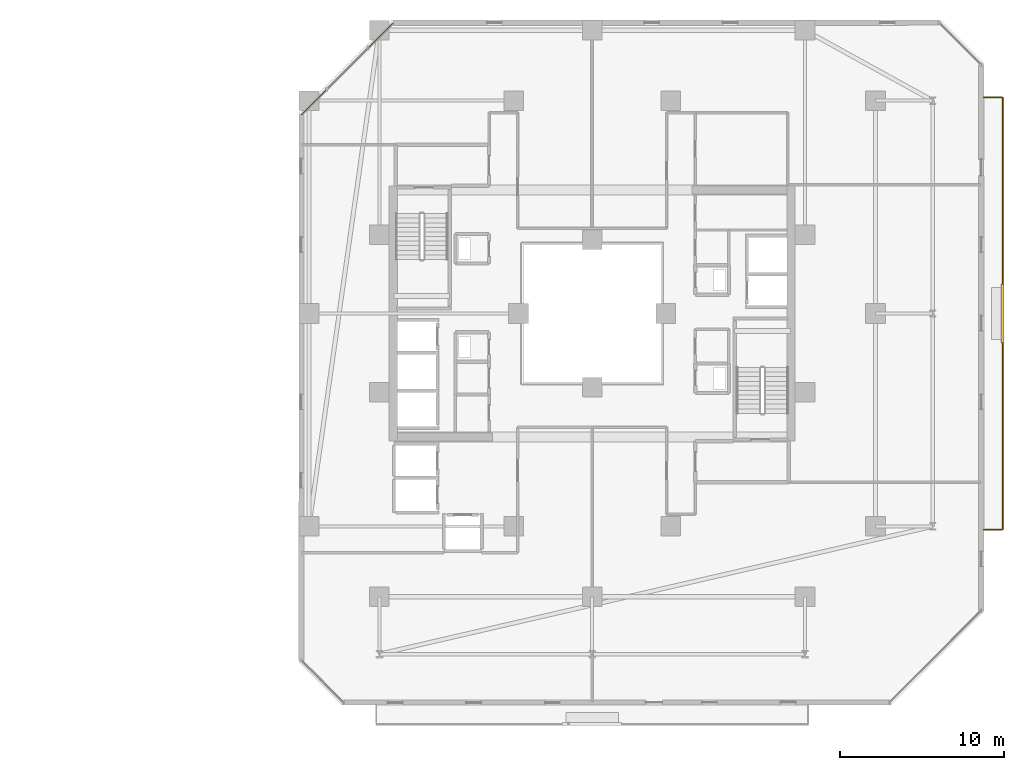
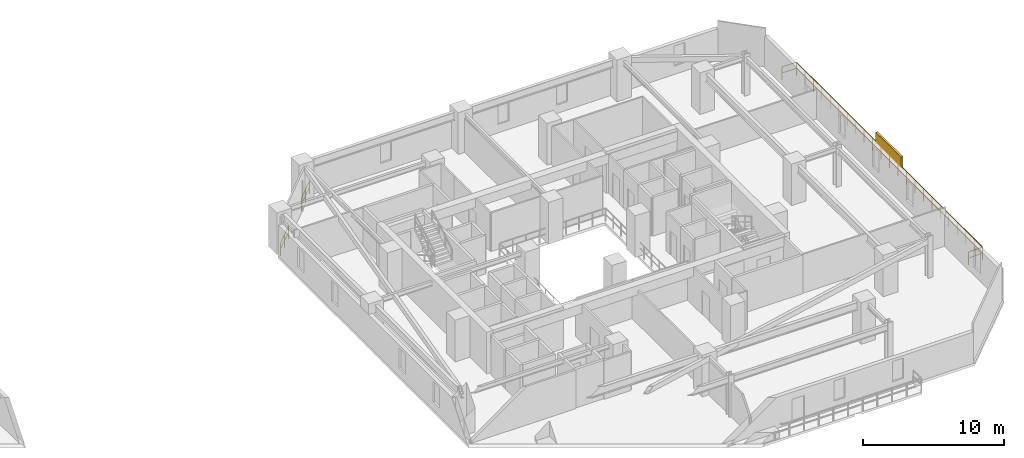
# One storey, part 31 of 31: 3 railings, 1 shading device.
"""IFC4 building model written with IfcOpenShell, lengths in metres."""

from ifc_helpers import new_model, si_unit, direction, frame, origin, origin_2d, place, context, subcontext, project, spatial, rectangle, extrude, material, type_object, element, save


model = new_model("IFC4")

# Units and contexts
model_context = context("Model", 3, precision=1e-05, world=origin(), true_north=direction((0.0, 1.0)))
body_context = subcontext(model_context, "Body", "Model", "MODEL_VIEW")
ifc_project = project(units=[si_unit("LENGTHUNIT", "METRE"), si_unit("AREAUNIT", "SQUARE_METRE"), si_unit("VOLUMEUNIT", "CUBIC_METRE"), si_unit("PLANEANGLEUNIT", "RADIAN"), si_unit("MASSUNIT", "GRAM", prefix="KILO")], contexts=[model_context])

# Site, building, storey
site_placement = place(None, origin())
site = spatial("IfcSite", under=ifc_project, at=site_placement, CompositionType="ELEMENT")
building_placement = place(site_placement, origin())
building = spatial("IfcBuilding", under=site, at=building_placement, Name="Thornwick Lancets Civic Towers", CompositionType="ELEMENT")
storey_placement = place(building_placement, frame((0.0, 0.0, 126.89990234375)))
storey = spatial("IfcBuildingStorey", under=building, at=storey_placement, Name="L33", CompositionType="ELEMENT", Elevation=126.89990234375)

# Railings
ifc_material_1 = material(Name="Terracotta-capped laminated glass balustrade S355", Category="masonry")
railing_type = type_object("IfcRailingType", Name="RAIL_TERR_GUARD", PredefinedType="GUARDRAIL", material=ifc_material_1)
railing_1_placement = place(storey_placement, frame((76.35205078125, 44.754638671875, 0.0)))
element("IfcRailing", 1, at=railing_1_placement, inside=storey, type_object=railing_type, Name="L33 Tower B Chamfer Spandrel Guard E5-1", PredefinedType="GUARDRAIL", context=body_context, shape_type="SweptSolid", body=[
    extrude(rectangle(XDim=0.048095703125, YDim=0.048095703125, at=origin_2d()), frame((0.0, 0.0, 1.1259765625), z_axis=(-0.707050628177, -0.707162929738, 0.0), x_axis=(0.707162929738, -0.707050628177, 0.0)), (0.0, 0.0, 1.0), 2.174072265625),
    extrude(rectangle(XDim=0.0419921875, YDim=0.0419921875, at=origin_2d()), frame((-0.026611328125, -0.026611328125, 0.597900390625), z_axis=(-0.707050628177, -0.707162929738, 0.0), x_axis=(0.707162929738, -0.707050628177, 0.0)), (0.0, 0.0, 1.0), 1.011962890625),
    extrude(rectangle(XDim=0.0419921875, YDim=0.0419921875, at=origin_2d()), frame((-0.795166015625, -0.795166015625, 0.597900390625), z_axis=(-0.707050628177, -0.707162929738, 0.0), x_axis=(0.707162929738, -0.707050628177, 0.0)), (0.0, 0.0, 1.0), 1.011962890625),
    extrude(rectangle(XDim=0.0419921875, YDim=0.0419921875, at=origin_2d()), origin(), (0.0, 0.0, 1.0), 1.095703125),
    extrude(rectangle(XDim=0.0419921875, YDim=0.0419921875, at=origin_2d()), frame((-0.7685546875, -0.7685546875, 0.0)), (0.0, 0.0, 1.0), 1.095703125),
    extrude(rectangle(XDim=0.0419921875, YDim=0.0419921875, at=origin_2d()), frame((-1.537109375, -1.537353515625, 0.0)), (0.0, 0.0, 1.0), 1.095703125),
])
railing_2_placement = place(storey_placement, frame((72.28271484375, 40.68505859375, 0.0)))
element("IfcRailing", 2, at=railing_2_placement, inside=storey, type_object=railing_type, Name="L33 Tower B Chamfer Spandrel Guard E5-2", PredefinedType="GUARDRAIL", context=body_context, shape_type="SweptSolid", body=[
    extrude(rectangle(XDim=0.048095703125, YDim=0.048095703125, at=origin_2d()), frame((0.0, 0.0, 1.1259765625), z_axis=(-0.707162929738, -0.707050628177, 0.0), x_axis=(0.707050628177, -0.707162929738, 0.0)), (0.0, 0.0, 1.0), 2.174072265625),
    extrude(rectangle(XDim=0.0419921875, YDim=0.0419921875, at=origin_2d()), frame((-0.026611328125, -0.026611328125, 0.597900390625), z_axis=(-0.707162929738, -0.707050628177, 0.0), x_axis=(0.707050628177, -0.707162929738, 0.0)), (0.0, 0.0, 1.0), 1.011962890625),
    extrude(rectangle(XDim=0.0419921875, YDim=0.0419921875, at=origin_2d()), frame((-0.795166015625, -0.795166015625, 0.597900390625), z_axis=(-0.707162929738, -0.707050628177, 0.0), x_axis=(0.707050628177, -0.707162929738, 0.0)), (0.0, 0.0, 1.0), 1.011962890625),
    extrude(rectangle(XDim=0.0419921875, YDim=0.0419921875, at=origin_2d()), origin(), (0.0, 0.0, 1.0), 1.095703125),
    extrude(rectangle(XDim=0.0419921875, YDim=0.0419921875, at=origin_2d()), frame((-0.7685546875, -0.7685546875, 0.0)), (0.0, 0.0, 1.0), 1.095703125),
    extrude(rectangle(XDim=0.0419921875, YDim=0.0419921875, at=origin_2d()), frame((-1.537353515625, -1.537109375, 0.0)), (0.0, 0.0, 1.0), 1.095703125),
])
railing_3_placement = place(storey_placement, frame((112.39990234375, 13.800048828125, 0.0)))
element("IfcRailing", 3, at=railing_3_placement, inside=storey, type_object=railing_type, Name="L33 Tower B Balcony Guard E", PredefinedType="GUARDRAIL", context=body_context, shape_type="SweptSolid", body=[
    extrude(rectangle(XDim=0.048095703125, YDim=0.048095703125, at=origin_2d()), frame((0.0, 0.0, 1.1259765625), z_axis=(1.0, 0.0, 0.0), x_axis=(0.0, 1.0, 0.0)), (0.0, 0.0, 1.0), 1.138916015625),
    extrude(rectangle(XDim=0.0419921875, YDim=0.0419921875, at=origin_2d()), frame((0.03759765625, 0.0, 0.597900390625), z_axis=(1.0, 0.0, 0.0), x_axis=(0.0, 1.0, 0.0)), (0.0, 0.0, 1.0), 1.09521484375),
    extrude(rectangle(XDim=0.048095703125, YDim=0.048095703125, at=origin_2d()), frame((1.170166015625, 0.03125, 1.1259765625), z_axis=(0.0, 1.0, 0.0), x_axis=(-1.0, 0.0, 0.0)), (0.0, 0.0, 1.0), 26.33740234375),
    extrude(rectangle(XDim=0.0419921875, YDim=0.0419921875, at=origin_2d()), frame((1.170166015625, 0.03759765625, 0.597900390625), z_axis=(0.0, 1.0, 0.0), x_axis=(-1.0, 0.0, 0.0)), (0.0, 0.0, 1.0), 1.125),
    extrude(rectangle(XDim=0.0419921875, YDim=0.0419921875, at=origin_2d()), frame((1.170166015625, 1.237548828125, 0.597900390625), z_axis=(0.0, 1.0, 0.0), x_axis=(-1.0, 0.0, 0.0)), (0.0, 0.0, 1.0), 1.125),
    extrude(rectangle(XDim=0.0419921875, YDim=0.0419921875, at=origin_2d()), frame((1.170166015625, 2.4375, 0.597900390625), z_axis=(0.0, 1.0, 0.0), x_axis=(-1.0, 0.0, 0.0)), (0.0, 0.0, 1.0), 1.125),
    extrude(rectangle(XDim=0.0419921875, YDim=0.0419921875, at=origin_2d()), frame((1.170166015625, 3.637451171875, 0.597900390625), z_axis=(0.0, 1.0, 0.0), x_axis=(-1.0, 0.0, 0.0)), (0.0, 0.0, 1.0), 1.125),
    extrude(rectangle(XDim=0.0419921875, YDim=0.0419921875, at=origin_2d()), frame((1.170166015625, 4.83740234375, 0.597900390625), z_axis=(0.0, 1.0, 0.0), x_axis=(-1.0, 0.0, 0.0)), (0.0, 0.0, 1.0), 1.125),
    extrude(rectangle(XDim=0.0419921875, YDim=0.0419921875, at=origin_2d()), frame((1.170166015625, 6.037353515625, 0.597900390625), z_axis=(0.0, 1.0, 0.0), x_axis=(-1.0, 0.0, 0.0)), (0.0, 0.0, 1.0), 1.125),
    extrude(rectangle(XDim=0.0419921875, YDim=0.0419921875, at=origin_2d()), frame((1.170166015625, 7.237548828125, 0.597900390625), z_axis=(0.0, 1.0, 0.0), x_axis=(-1.0, 0.0, 0.0)), (0.0, 0.0, 1.0), 1.125),
    extrude(rectangle(XDim=0.0419921875, YDim=0.0419921875, at=origin_2d()), frame((1.170166015625, 8.4375, 0.597900390625), z_axis=(0.0, 1.0, 0.0), x_axis=(-1.0, 0.0, 0.0)), (0.0, 0.0, 1.0), 1.125),
    extrude(rectangle(XDim=0.0419921875, YDim=0.0419921875, at=origin_2d()), frame((1.170166015625, 9.637451171875, 0.597900390625), z_axis=(0.0, 1.0, 0.0), x_axis=(-1.0, 0.0, 0.0)), (0.0, 0.0, 1.0), 1.125),
    extrude(rectangle(XDim=0.0419921875, YDim=0.0419921875, at=origin_2d()), frame((1.170166015625, 10.83740234375, 0.597900390625), z_axis=(0.0, 1.0, 0.0), x_axis=(-1.0, 0.0, 0.0)), (0.0, 0.0, 1.0), 1.125),
    extrude(rectangle(XDim=0.0419921875, YDim=0.0419921875, at=origin_2d()), frame((1.170166015625, 12.037353515625, 0.597900390625), z_axis=(0.0, 1.0, 0.0), x_axis=(-1.0, 0.0, 0.0)), (0.0, 0.0, 1.0), 1.125),
    extrude(rectangle(XDim=0.0419921875, YDim=0.0419921875, at=origin_2d()), frame((1.170166015625, 13.237548828125, 0.597900390625), z_axis=(0.0, 1.0, 0.0), x_axis=(-1.0, 0.0, 0.0)), (0.0, 0.0, 1.0), 1.125),
    extrude(rectangle(XDim=0.0419921875, YDim=0.0419921875, at=origin_2d()), frame((1.170166015625, 14.4375, 0.597900390625), z_axis=(0.0, 1.0, 0.0), x_axis=(-1.0, 0.0, 0.0)), (0.0, 0.0, 1.0), 1.125),
    extrude(rectangle(XDim=0.0419921875, YDim=0.0419921875, at=origin_2d()), frame((1.170166015625, 15.637451171875, 0.597900390625), z_axis=(0.0, 1.0, 0.0), x_axis=(-1.0, 0.0, 0.0)), (0.0, 0.0, 1.0), 1.125),
    extrude(rectangle(XDim=0.0419921875, YDim=0.0419921875, at=origin_2d()), frame((1.170166015625, 16.83740234375, 0.597900390625), z_axis=(0.0, 1.0, 0.0), x_axis=(-1.0, 0.0, 0.0)), (0.0, 0.0, 1.0), 1.125),
    extrude(rectangle(XDim=0.0419921875, YDim=0.0419921875, at=origin_2d()), frame((1.170166015625, 18.037353515625, 0.597900390625), z_axis=(0.0, 1.0, 0.0), x_axis=(-1.0, 0.0, 0.0)), (0.0, 0.0, 1.0), 1.125),
    extrude(rectangle(XDim=0.0419921875, YDim=0.0419921875, at=origin_2d()), frame((1.170166015625, 19.2373046875, 0.597900390625), z_axis=(0.0, 1.0, 0.0), x_axis=(-1.0, 0.0, 0.0)), (0.0, 0.0, 1.0), 1.125),
    extrude(rectangle(XDim=0.0419921875, YDim=0.0419921875, at=origin_2d()), frame((1.170166015625, 20.4375, 0.597900390625), z_axis=(0.0, 1.0, 0.0), x_axis=(-1.0, 0.0, 0.0)), (0.0, 0.0, 1.0), 1.125),
    extrude(rectangle(XDim=0.0419921875, YDim=0.0419921875, at=origin_2d()), frame((1.170166015625, 21.637451171875, 0.597900390625), z_axis=(0.0, 1.0, 0.0), x_axis=(-1.0, 0.0, 0.0)), (0.0, 0.0, 1.0), 1.125),
    extrude(rectangle(XDim=0.0419921875, YDim=0.0419921875, at=origin_2d()), frame((1.170166015625, 22.83740234375, 0.597900390625), z_axis=(0.0, 1.0, 0.0), x_axis=(-1.0, 0.0, 0.0)), (0.0, 0.0, 1.0), 1.125),
    extrude(rectangle(XDim=0.0419921875, YDim=0.0419921875, at=origin_2d()), frame((1.170166015625, 24.037353515625, 0.597900390625), z_axis=(0.0, 1.0, 0.0), x_axis=(-1.0, 0.0, 0.0)), (0.0, 0.0, 1.0), 1.125),
    extrude(rectangle(XDim=0.0419921875, YDim=0.0419921875, at=origin_2d()), frame((1.170166015625, 25.2373046875, 0.597900390625), z_axis=(0.0, 1.0, 0.0), x_axis=(-1.0, 0.0, 0.0)), (0.0, 0.0, 1.0), 1.125),
    extrude(rectangle(XDim=0.048095703125, YDim=0.048095703125, at=origin_2d()), frame((1.138916015625, 26.39990234375, 1.1259765625), z_axis=(-1.0, 0.0, 0.0), x_axis=(0.0, -1.0, 0.0)), (0.0, 0.0, 1.0), 1.138916015625),
    extrude(rectangle(XDim=0.0419921875, YDim=0.0419921875, at=origin_2d()), frame((1.132568359375, 26.39990234375, 0.597900390625), z_axis=(-1.0, 0.0, 0.0), x_axis=(0.0, -1.0, 0.0)), (0.0, 0.0, 1.0), 1.09521484375),
    extrude(rectangle(XDim=0.0419921875, YDim=0.0419921875, at=origin_2d()), origin(), (0.0, 0.0, 1.0), 1.095703125),
    extrude(rectangle(XDim=0.0419921875, YDim=0.0419921875, at=origin_2d()), frame((1.170166015625, 0.0, 0.0)), (0.0, 0.0, 1.0), 1.095703125),
    extrude(rectangle(XDim=0.0419921875, YDim=0.0419921875, at=origin_2d()), frame((1.170166015625, 1.199951171875, 0.0)), (0.0, 0.0, 1.0), 1.095703125),
    extrude(rectangle(XDim=0.0419921875, YDim=0.0419921875, at=origin_2d()), frame((1.170166015625, 2.39990234375, 0.0)), (0.0, 0.0, 1.0), 1.095703125),
    extrude(rectangle(XDim=0.0419921875, YDim=0.0419921875, at=origin_2d()), frame((1.170166015625, 3.60009765625, 0.0)), (0.0, 0.0, 1.0), 1.095703125),
    extrude(rectangle(XDim=0.0419921875, YDim=0.0419921875, at=origin_2d()), frame((1.170166015625, 4.800048828125, 0.0)), (0.0, 0.0, 1.0), 1.095703125),
    extrude(rectangle(XDim=0.0419921875, YDim=0.0419921875, at=origin_2d()), frame((1.170166015625, 6.0, 0.0)), (0.0, 0.0, 1.0), 1.095703125),
    extrude(rectangle(XDim=0.0419921875, YDim=0.0419921875, at=origin_2d()), frame((1.170166015625, 7.199951171875, 0.0)), (0.0, 0.0, 1.0), 1.095703125),
    extrude(rectangle(XDim=0.0419921875, YDim=0.0419921875, at=origin_2d()), frame((1.170166015625, 8.39990234375, 0.0)), (0.0, 0.0, 1.0), 1.095703125),
    extrude(rectangle(XDim=0.0419921875, YDim=0.0419921875, at=origin_2d()), frame((1.170166015625, 9.599853515625, 0.0)), (0.0, 0.0, 1.0), 1.095703125),
    extrude(rectangle(XDim=0.0419921875, YDim=0.0419921875, at=origin_2d()), frame((1.170166015625, 10.800048828125, 0.0)), (0.0, 0.0, 1.0), 1.095703125),
    extrude(rectangle(XDim=0.0419921875, YDim=0.0419921875, at=origin_2d()), frame((1.170166015625, 12.0, 0.0)), (0.0, 0.0, 1.0), 1.095703125),
    extrude(rectangle(XDim=0.0419921875, YDim=0.0419921875, at=origin_2d()), frame((1.170166015625, 13.199951171875, 0.0)), (0.0, 0.0, 1.0), 1.095703125),
    extrude(rectangle(XDim=0.0419921875, YDim=0.0419921875, at=origin_2d()), frame((1.170166015625, 14.39990234375, 0.0)), (0.0, 0.0, 1.0), 1.095703125),
    extrude(rectangle(XDim=0.0419921875, YDim=0.0419921875, at=origin_2d()), frame((1.170166015625, 15.599853515625, 0.0)), (0.0, 0.0, 1.0), 1.095703125),
    extrude(rectangle(XDim=0.0419921875, YDim=0.0419921875, at=origin_2d()), frame((1.170166015625, 16.800048828125, 0.0)), (0.0, 0.0, 1.0), 1.095703125),
    extrude(rectangle(XDim=0.0419921875, YDim=0.0419921875, at=origin_2d()), frame((1.170166015625, 18.0, 0.0)), (0.0, 0.0, 1.0), 1.095703125),
    extrude(rectangle(XDim=0.0419921875, YDim=0.0419921875, at=origin_2d()), frame((1.170166015625, 19.199951171875, 0.0)), (0.0, 0.0, 1.0), 1.095703125),
    extrude(rectangle(XDim=0.0419921875, YDim=0.0419921875, at=origin_2d()), frame((1.170166015625, 20.39990234375, 0.0)), (0.0, 0.0, 1.0), 1.095703125),
    extrude(rectangle(XDim=0.0419921875, YDim=0.0419921875, at=origin_2d()), frame((1.170166015625, 21.599853515625, 0.0)), (0.0, 0.0, 1.0), 1.095703125),
    extrude(rectangle(XDim=0.0419921875, YDim=0.0419921875, at=origin_2d()), frame((1.170166015625, 22.7998046875, 0.0)), (0.0, 0.0, 1.0), 1.095703125),
    extrude(rectangle(XDim=0.0419921875, YDim=0.0419921875, at=origin_2d()), frame((1.170166015625, 24.0, 0.0)), (0.0, 0.0, 1.0), 1.095703125),
    extrude(rectangle(XDim=0.0419921875, YDim=0.0419921875, at=origin_2d()), frame((1.170166015625, 25.199951171875, 0.0)), (0.0, 0.0, 1.0), 1.095703125),
    extrude(rectangle(XDim=0.0419921875, YDim=0.0419921875, at=origin_2d()), frame((1.170166015625, 26.39990234375, 0.0)), (0.0, 0.0, 1.0), 1.095703125),
    extrude(rectangle(XDim=0.0419921875, YDim=0.0419921875, at=origin_2d()), frame((0.0, 26.39990234375, 0.0)), (0.0, 0.0, 1.0), 1.095703125),
])

# Shading device
ifc_material_2 = material(Name="Extruded terracotta baguette solar screen", Category="masonry")
shading_device_type = type_object("IfcShadingDeviceType", Name="SHADE_BAGUETTE", PredefinedType="JALOUSIE", material=ifc_material_2)
shading_device_placement = place(storey_placement, frame((113.56005859375, 27.0, 1.1201171875), z_axis=(0.0, 0.0, 1.0), x_axis=(0.0, 1.0, 0.0)))
element("IfcShadingDevice", 4, at=shading_device_placement, inside=storey, type_object=shading_device_type, Name="L33 Tower B Terracotta Baguette Screen E", PredefinedType="JALOUSIE", context=body_context, shape_type="SweptSolid", body=[
    extrude(rectangle(XDim=3.60009765625, YDim=0.179931640625, at=origin_2d()), origin(), (0.0, 0.0, 1.0), 0.89990234375),
])

save(model, "model.ifc")
